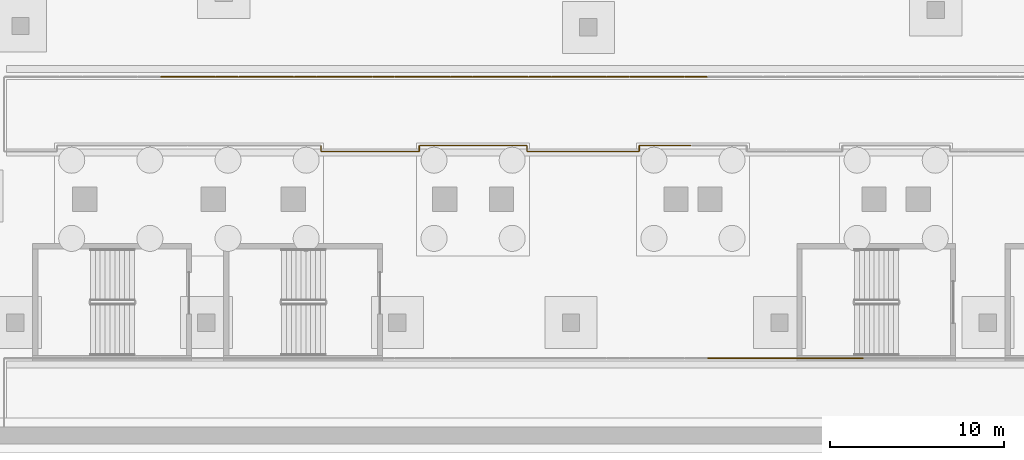
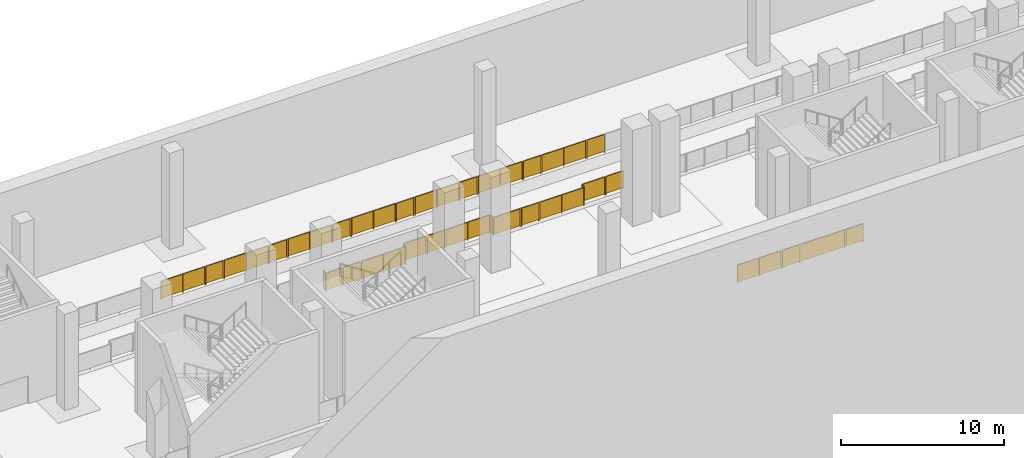
# One storey, part 11 of 15: 33 railings.
"""IFC4 building model written with IfcOpenShell, lengths in metres."""

from ifc_helpers import new_model, si_unit, direction, frame, origin, origin_2d, place, context, subcontext, project, spatial, rectangle, circle, extrude, material, type_object, element, save


model = new_model("IFC4")

# Units and contexts
model_context = context("Model", 3, precision=1e-05, world=origin(), true_north=direction((0.0, 1.0)))
body_context = subcontext(model_context, "Body", "Model", "MODEL_VIEW")
ifc_project = project(units=[si_unit("LENGTHUNIT", "METRE"), si_unit("AREAUNIT", "SQUARE_METRE"), si_unit("VOLUMEUNIT", "CUBIC_METRE"), si_unit("PLANEANGLEUNIT", "RADIAN"), si_unit("MASSUNIT", "GRAM", prefix="KILO")], contexts=[model_context])

# Site, building, storey
site_placement = place(None, origin())
site = spatial("IfcSite", under=ifc_project, at=site_placement, CompositionType="ELEMENT")
building_placement = place(site_placement, origin())
building = spatial("IfcBuilding", under=site, at=building_placement, Name="Wharfspan Tower", CompositionType="ELEMENT")
storey_placement = place(building_placement, frame((0.0, 0.0, -14.399902)))
storey = spatial("IfcBuildingStorey", under=building, at=storey_placement, Name="B2", CompositionType="ELEMENT", Elevation=-14.399902)

# Railings
ifc_material = material(Name="Aluminium frame with laminated glass", Category="aluminium")
railing_type_1 = type_object("IfcRailingType", Name="Platform edge screen 1400", PredefinedType="GUARDRAIL", material=ifc_material)
for number, where, name in (
    (1, (47.889893, -31.050049, 0.0), "Platform edge screen"),
    (2, (52.389893, -31.050049, 0.0), "Platform edge screen"),
):
    element("IfcRailing", number, at=place(storey_placement, frame(where)), inside=storey, type_object=railing_type_1, Name=name, PredefinedType="GUARDRAIL", context=body_context, shape_type="SweptSolid", body=[
        extrude(circle(Radius=0.024902, at=origin_2d()), frame((0.0, 0.0, 1.375), z_axis=(1.0, 0.0, 0.0), x_axis=(0.0, 1.0, 0.0)), (0.0, 0.0, 1.0), 3.120117),
        extrude(circle(Radius=0.024902, at=origin_2d()), origin(), (0.0, 0.0, 1.0), 1.349854),
        extrude(circle(Radius=0.024902, at=origin_2d()), frame((1.560059, 0.0, 0.0)), (0.0, 0.0, 1.0), 1.349854),
        extrude(circle(Radius=0.024902, at=origin_2d()), frame((3.120117, 0.0, 0.0)), (0.0, 0.0, 1.0), 1.349854),
        extrude(rectangle(XDim=3.120117, YDim=0.02002, at=origin_2d()), frame((1.560059, 0.0, 0.100098), z_axis=(0.0, 0.0, 1.0), x_axis=(1.0, 0.0, 0.0)), (0.0, 0.0, 1.0), 1.249756),
    ])
railing_1_placement = place(storey_placement, frame((25.600098, -19.110107, 0.0)))
element("IfcRailing", 3, at=railing_1_placement, inside=storey, type_object=railing_type_1, Name="Platform edge screen", PredefinedType="GUARDRAIL", context=body_context, shape_type="SweptSolid", body=[
    extrude(circle(Radius=0.024902, at=origin_2d()), frame((0.0, 0.0, 1.375), z_axis=(0.0, 1.0, 0.0), x_axis=(-1.0, 0.0, 0.0)), (0.0, 0.0, 1.0), 0.27002),
    extrude(circle(Radius=0.024902, at=origin_2d()), origin(), (0.0, 0.0, 1.0), 1.349854),
    extrude(circle(Radius=0.024902, at=origin_2d()), frame((0.0, 0.27002, 0.0)), (0.0, 0.0, 1.0), 1.349854),
    extrude(rectangle(XDim=0.27002, YDim=0.02002, at=origin_2d()), frame((0.0, 0.13501, 0.100098), z_axis=(0.0, 0.0, 1.0), x_axis=(0.0, 1.0, 0.0)), (0.0, 0.0, 1.0), 1.249756),
])
railing_2_placement = place(storey_placement, frame((31.221924, -19.149902, 0.0)))
element("IfcRailing", 4, at=railing_2_placement, inside=storey, type_object=railing_type_1, Name="Platform edge screen", PredefinedType="GUARDRAIL", context=body_context, shape_type="SweptSolid", body=[
    extrude(circle(Radius=0.024902, at=origin_2d()), frame((0.0, 0.0, 1.375), z_axis=(-1.0, 0.0, 0.0), x_axis=(0.0, -1.0, 0.0)), (0.0, 0.0, 1.0), 3.119873),
    extrude(circle(Radius=0.024902, at=origin_2d()), origin(), (0.0, 0.0, 1.0), 1.349854),
    extrude(circle(Radius=0.024902, at=origin_2d()), frame((-1.560059, 0.0, 0.0)), (0.0, 0.0, 1.0), 1.349854),
    extrude(circle(Radius=0.024902, at=origin_2d()), frame((-3.119873, 0.0, 0.0)), (0.0, 0.0, 1.0), 1.349854),
    extrude(rectangle(XDim=3.119873, YDim=0.02002, at=origin_2d()), frame((-1.560059, 0.0, 0.100098), z_axis=(0.0, 0.0, 1.0), x_axis=(-1.0, 0.0, 0.0)), (0.0, 0.0, 1.0), 1.249756),
])
railing_3_placement = place(storey_placement, frame((26.721924, -19.149902, 0.0)))
element("IfcRailing", 5, at=railing_3_placement, inside=storey, type_object=railing_type_1, Name="Platform edge screen", PredefinedType="GUARDRAIL", context=body_context, shape_type="SweptSolid", body=[
    extrude(circle(Radius=0.024902, at=origin_2d()), frame((0.0, 0.0, 1.375), z_axis=(-1.0, 0.0, 0.0), x_axis=(0.0, -1.0, 0.0)), (0.0, 0.0, 1.0), 1.082031),
    extrude(circle(Radius=0.024902, at=origin_2d()), origin(), (0.0, 0.0, 1.0), 1.349854),
    extrude(circle(Radius=0.024902, at=origin_2d()), frame((-1.082031, 0.0, 0.0)), (0.0, 0.0, 1.0), 1.349854),
    extrude(rectangle(XDim=1.082031, YDim=0.02002, at=origin_2d()), frame((-0.541016, 0.0, 0.100098), z_axis=(0.0, 0.0, 1.0), x_axis=(-1.0, 0.0, 0.0)), (0.0, 0.0, 1.0), 1.249756),
])
railing_4_placement = place(storey_placement, frame((37.461914, -19.110107, 0.0)))
element("IfcRailing", 6, at=railing_4_placement, inside=storey, type_object=railing_type_1, Name="Platform edge screen", PredefinedType="GUARDRAIL", context=body_context, shape_type="SweptSolid", body=[
    extrude(circle(Radius=0.024902, at=origin_2d()), frame((0.0, 0.0, 1.375), z_axis=(0.0, 1.0, 0.0), x_axis=(-1.0, 0.0, 0.0)), (0.0, 0.0, 1.0), 0.27002),
    extrude(circle(Radius=0.024902, at=origin_2d()), origin(), (0.0, 0.0, 1.0), 1.349854),
    extrude(circle(Radius=0.024902, at=origin_2d()), frame((0.0, 0.27002, 0.0)), (0.0, 0.0, 1.0), 1.349854),
    extrude(rectangle(XDim=0.27002, YDim=0.02002, at=origin_2d()), frame((0.0, 0.13501, 0.100098), z_axis=(0.0, 0.0, 1.0), x_axis=(0.0, 1.0, 0.0)), (0.0, 0.0, 1.0), 1.249756),
])
railing_5_placement = place(storey_placement, frame((43.881104, -19.149902, 0.0)))
element("IfcRailing", 7, at=railing_5_placement, inside=storey, type_object=railing_type_1, Name="Platform edge screen", PredefinedType="GUARDRAIL", context=body_context, shape_type="SweptSolid", body=[
    extrude(circle(Radius=0.024902, at=origin_2d()), frame((0.0, 0.0, 1.375), z_axis=(-1.0, 0.0, 0.0), x_axis=(0.0, -1.0, 0.0)), (0.0, 0.0, 1.0), 3.120117),
    extrude(circle(Radius=0.024902, at=origin_2d()), origin(), (0.0, 0.0, 1.0), 1.349854),
    extrude(circle(Radius=0.024902, at=origin_2d()), frame((-1.560059, 0.0, 0.0)), (0.0, 0.0, 1.0), 1.349854),
    extrude(circle(Radius=0.024902, at=origin_2d()), frame((-3.120117, 0.0, 0.0)), (0.0, 0.0, 1.0), 1.349854),
    extrude(rectangle(XDim=3.120117, YDim=0.02002, at=origin_2d()), frame((-1.560059, 0.0, 0.100098), z_axis=(0.0, 0.0, 1.0), x_axis=(-1.0, 0.0, 0.0)), (0.0, 0.0, 1.0), 1.249756),
])
railing_6_placement = place(storey_placement, frame((39.381104, -19.149902, 0.0)))
element("IfcRailing", 8, at=railing_6_placement, inside=storey, type_object=railing_type_1, Name="Platform edge screen", PredefinedType="GUARDRAIL", context=body_context, shape_type="SweptSolid", body=[
    extrude(circle(Radius=0.024902, at=origin_2d()), frame((0.0, 0.0, 1.375), z_axis=(-1.0, 0.0, 0.0), x_axis=(0.0, -1.0, 0.0)), (0.0, 0.0, 1.0), 1.87915),
    extrude(circle(Radius=0.024902, at=origin_2d()), origin(), (0.0, 0.0, 1.0), 1.349854),
    extrude(circle(Radius=0.024902, at=origin_2d()), frame((-1.87915, 0.0, 0.0)), (0.0, 0.0, 1.0), 1.349854),
    extrude(rectangle(XDim=1.87915, YDim=0.02002, at=origin_2d()), frame((-0.939453, 0.0, 0.100098), z_axis=(0.0, 0.0, 1.0), x_axis=(-1.0, 0.0, 0.0)), (0.0, 0.0, 1.0), 1.249756),
])
railing_7_placement = place(storey_placement, frame((31.261963, -18.840088, 0.0)))
element("IfcRailing", 9, at=railing_7_placement, inside=storey, type_object=railing_type_1, Name="Platform edge screen", PredefinedType="GUARDRAIL", context=body_context, shape_type="SweptSolid", body=[
    extrude(circle(Radius=0.024902, at=origin_2d()), frame((0.0, 0.0, 1.375), z_axis=(0.0, -1.0, 0.0), x_axis=(1.0, 0.0, 0.0)), (0.0, 0.0, 1.0), 0.27002),
    extrude(circle(Radius=0.024902, at=origin_2d()), origin(), (0.0, 0.0, 1.0), 1.349854),
    extrude(circle(Radius=0.024902, at=origin_2d()), frame((0.0, -0.27002, 0.0)), (0.0, 0.0, 1.0), 1.349854),
    extrude(rectangle(XDim=0.27002, YDim=0.02002, at=origin_2d()), frame((0.0, -0.13501, 0.100098), z_axis=(0.0, 0.0, 1.0), x_axis=(0.0, -1.0, 0.0)), (0.0, 0.0, 1.0), 1.249756),
])
railing_8_placement = place(storey_placement, frame((37.422119, -18.800049, 0.0)))
element("IfcRailing", 10, at=railing_8_placement, inside=storey, type_object=railing_type_1, Name="Platform edge screen", PredefinedType="GUARDRAIL", context=body_context, shape_type="SweptSolid", body=[
    extrude(circle(Radius=0.024902, at=origin_2d()), frame((0.0, 0.0, 1.375), z_axis=(-1.0, 0.0, 0.0), x_axis=(0.0, -1.0, 0.0)), (0.0, 0.0, 1.0), 3.120117),
    extrude(circle(Radius=0.024902, at=origin_2d()), origin(), (0.0, 0.0, 1.0), 1.349854),
    extrude(circle(Radius=0.024902, at=origin_2d()), frame((-1.560059, 0.0, 0.0)), (0.0, 0.0, 1.0), 1.349854),
    extrude(circle(Radius=0.024902, at=origin_2d()), frame((-3.120117, 0.0, 0.0)), (0.0, 0.0, 1.0), 1.349854),
    extrude(rectangle(XDim=3.120117, YDim=0.02002, at=origin_2d()), frame((-1.560059, 0.0, 0.100098), z_axis=(0.0, 0.0, 1.0), x_axis=(-1.0, 0.0, 0.0)), (0.0, 0.0, 1.0), 1.249756),
])
railing_9_placement = place(storey_placement, frame((32.922119, -18.800049, 0.0)))
element("IfcRailing", 11, at=railing_9_placement, inside=storey, type_object=railing_type_1, Name="Platform edge screen", PredefinedType="GUARDRAIL", context=body_context, shape_type="SweptSolid", body=[
    extrude(circle(Radius=0.024902, at=origin_2d()), frame((0.0, 0.0, 1.375), z_axis=(-1.0, 0.0, 0.0), x_axis=(0.0, -1.0, 0.0)), (0.0, 0.0, 1.0), 1.620117),
    extrude(circle(Radius=0.024902, at=origin_2d()), origin(), (0.0, 0.0, 1.0), 1.349854),
    extrude(circle(Radius=0.024902, at=origin_2d()), frame((-1.620117, 0.0, 0.0)), (0.0, 0.0, 1.0), 1.349854),
    extrude(rectangle(XDim=1.620117, YDim=0.02002, at=origin_2d()), frame((-0.810059, 0.0, 0.100098), z_axis=(0.0, 0.0, 1.0), x_axis=(-1.0, 0.0, 0.0)), (0.0, 0.0, 1.0), 1.249756),
])
railing_10_placement = place(storey_placement, frame((43.920898, -18.840088, 0.0)))
element("IfcRailing", 12, at=railing_10_placement, inside=storey, type_object=railing_type_1, Name="Platform edge screen", PredefinedType="GUARDRAIL", context=body_context, shape_type="SweptSolid", body=[
    extrude(circle(Radius=0.024902, at=origin_2d()), frame((0.0, 0.0, 1.375), z_axis=(0.0, -1.0, 0.0), x_axis=(1.0, 0.0, 0.0)), (0.0, 0.0, 1.0), 0.27002),
    extrude(circle(Radius=0.024902, at=origin_2d()), origin(), (0.0, 0.0, 1.0), 1.349854),
    extrude(circle(Radius=0.024902, at=origin_2d()), frame((0.0, -0.27002, 0.0)), (0.0, 0.0, 1.0), 1.349854),
    extrude(rectangle(XDim=0.27002, YDim=0.02002, at=origin_2d()), frame((0.0, -0.13501, 0.100098), z_axis=(0.0, 0.0, 1.0), x_axis=(0.0, -1.0, 0.0)), (0.0, 0.0, 1.0), 1.249756),
])
railing_11_placement = place(storey_placement, frame((45.581055, -18.800049, 0.0)))
element("IfcRailing", 13, at=railing_11_placement, inside=storey, type_object=railing_type_1, Name="Platform edge screen", PredefinedType="GUARDRAIL", context=body_context, shape_type="SweptSolid", body=[
    extrude(circle(Radius=0.024902, at=origin_2d()), frame((0.0, 0.0, 1.375), z_axis=(-1.0, 0.0, 0.0), x_axis=(0.0, -1.0, 0.0)), (0.0, 0.0, 1.0), 1.620117),
    extrude(circle(Radius=0.024902, at=origin_2d()), origin(), (0.0, 0.0, 1.0), 1.349854),
    extrude(circle(Radius=0.024902, at=origin_2d()), frame((-1.620117, 0.0, 0.0)), (0.0, 0.0, 1.0), 1.349854),
    extrude(rectangle(XDim=1.620117, YDim=0.02002, at=origin_2d()), frame((-0.810059, 0.0, 0.100098), z_axis=(0.0, 0.0, 1.0), x_axis=(-1.0, 0.0, 0.0)), (0.0, 0.0, 1.0), 1.249756),
])
for number, where, name in (
    (14, (16.389893, -14.850098, 0.0), "Platform edge screen"),
    (15, (20.889893, -14.850098, 0.0), "Platform edge screen"),
    (16, (25.389893, -14.850098, 0.0), "Platform edge screen"),
    (17, (29.889893, -14.850098, 0.0), "Platform edge screen"),
    (18, (34.389893, -14.850098, 0.0), "Platform edge screen"),
    (19, (38.889893, -14.850098, 0.0), "Platform edge screen"),
    (20, (43.389893, -14.850098, 0.0), "Platform edge screen"),
):
    element("IfcRailing", number, at=place(storey_placement, frame(where)), inside=storey, type_object=railing_type_1, Name=name, PredefinedType="GUARDRAIL", context=body_context, shape_type="SweptSolid", body=[
        extrude(circle(Radius=0.024902, at=origin_2d()), frame((0.0, 0.0, 1.375), z_axis=(1.0, 0.0, 0.0), x_axis=(0.0, 1.0, 0.0)), (0.0, 0.0, 1.0), 3.120117),
        extrude(circle(Radius=0.024902, at=origin_2d()), origin(), (0.0, 0.0, 1.0), 1.349854),
        extrude(circle(Radius=0.024902, at=origin_2d()), frame((1.560059, 0.0, 0.0)), (0.0, 0.0, 1.0), 1.349854),
        extrude(circle(Radius=0.024902, at=origin_2d()), frame((3.120117, 0.0, 0.0)), (0.0, 0.0, 1.0), 1.349854),
        extrude(rectangle(XDim=3.120117, YDim=0.02002, at=origin_2d()), frame((1.560059, 0.0, 0.100098), z_axis=(0.0, 0.0, 1.0), x_axis=(1.0, 0.0, 0.0)), (0.0, 0.0, 1.0), 1.249756),
    ])
railing_type_2 = type_object("IfcRailingType", Name="Platform screen door leaf 1400 (closed)", PredefinedType="GUARDRAIL", material=ifc_material)
for number, where, name in (
    (21, (51.090088, -31.050049, 0.0), "Platform screen door leaf (closed)"),
    (22, (55.590088, -31.050049, 0.0), "Platform screen door leaf (closed)"),
):
    element("IfcRailing", number, at=place(storey_placement, frame(where)), inside=storey, type_object=railing_type_2, Name=name, PredefinedType="GUARDRAIL", context=body_context, shape_type="SweptSolid", body=[
        extrude(circle(Radius=0.024902, at=origin_2d()), frame((0.0, 0.0, 1.375), z_axis=(1.0, 0.0, 0.0), x_axis=(0.0, 1.0, 0.0)), (0.0, 0.0, 1.0), 1.219971),
        extrude(circle(Radius=0.024902, at=origin_2d()), origin(), (0.0, 0.0, 1.0), 1.349854),
        extrude(circle(Radius=0.024902, at=origin_2d()), frame((1.219971, 0.0, 0.0)), (0.0, 0.0, 1.0), 1.349854),
        extrude(rectangle(XDim=1.219971, YDim=0.02002, at=origin_2d()), frame((0.609863, 0.0, 0.100098), z_axis=(0.0, 0.0, 1.0), x_axis=(1.0, 0.0, 0.0)), (0.0, 0.0, 1.0), 1.249756),
    ])
for number, where, name in (
    (23, (28.021973, -19.149902, 0.0), "Platform screen door leaf (closed)"),
    (24, (40.680908, -19.149902, 0.0), "Platform screen door leaf (closed)"),
    (25, (34.221924, -18.800049, 0.0), "Platform screen door leaf (closed)"),
):
    element("IfcRailing", number, at=place(storey_placement, frame(where)), inside=storey, type_object=railing_type_2, Name=name, PredefinedType="GUARDRAIL", context=body_context, shape_type="SweptSolid", body=[
        extrude(circle(Radius=0.024902, at=origin_2d()), frame((0.0, 0.0, 1.375), z_axis=(-1.0, 0.0, 0.0), x_axis=(0.0, -1.0, 0.0)), (0.0, 0.0, 1.0), 1.219971),
        extrude(circle(Radius=0.024902, at=origin_2d()), origin(), (0.0, 0.0, 1.0), 1.349854),
        extrude(circle(Radius=0.024902, at=origin_2d()), frame((-1.219971, 0.0, 0.0)), (0.0, 0.0, 1.0), 1.349854),
        extrude(rectangle(XDim=1.219971, YDim=0.02002, at=origin_2d()), frame((-0.609863, 0.0, 0.100098), z_axis=(0.0, 0.0, 1.0), x_axis=(-1.0, 0.0, 0.0)), (0.0, 0.0, 1.0), 1.249756),
    ])
railing_12_placement = place(storey_placement, frame((46.881104, -18.800049, 0.0)))
element("IfcRailing", 26, at=railing_12_placement, inside=storey, type_object=railing_type_2, Name="Platform screen door leaf (closed)", PredefinedType="GUARDRAIL", context=body_context, shape_type="SweptSolid", body=[
    extrude(circle(Radius=0.024902, at=origin_2d()), frame((0.0, 0.0, 1.375), z_axis=(-1.0, 0.0, 0.0), x_axis=(0.0, -1.0, 0.0)), (0.0, 0.0, 1.0), 1.220215),
    extrude(circle(Radius=0.024902, at=origin_2d()), origin(), (0.0, 0.0, 1.0), 1.349854),
    extrude(circle(Radius=0.024902, at=origin_2d()), frame((-1.220215, 0.0, 0.0)), (0.0, 0.0, 1.0), 1.349854),
    extrude(rectangle(XDim=1.220215, YDim=0.02002, at=origin_2d()), frame((-0.610107, 0.0, 0.100098), z_axis=(0.0, 0.0, 1.0), x_axis=(-1.0, 0.0, 0.0)), (0.0, 0.0, 1.0), 1.249756),
])
for number, where, name in (
    (27, (19.590088, -14.850098, 0.0), "Platform screen door leaf (closed)"),
    (28, (24.090088, -14.850098, 0.0), "Platform screen door leaf (closed)"),
    (29, (28.590088, -14.850098, 0.0), "Platform screen door leaf (closed)"),
    (30, (33.090088, -14.850098, 0.0), "Platform screen door leaf (closed)"),
    (31, (37.590088, -14.850098, 0.0), "Platform screen door leaf (closed)"),
    (32, (42.090088, -14.850098, 0.0), "Platform screen door leaf (closed)"),
    (33, (46.590088, -14.850098, 0.0), "Platform screen door leaf (closed)"),
):
    element("IfcRailing", number, at=place(storey_placement, frame(where)), inside=storey, type_object=railing_type_2, Name=name, PredefinedType="GUARDRAIL", context=body_context, shape_type="SweptSolid", body=[
        extrude(circle(Radius=0.024902, at=origin_2d()), frame((0.0, 0.0, 1.375), z_axis=(1.0, 0.0, 0.0), x_axis=(0.0, 1.0, 0.0)), (0.0, 0.0, 1.0), 1.219971),
        extrude(circle(Radius=0.024902, at=origin_2d()), origin(), (0.0, 0.0, 1.0), 1.349854),
        extrude(circle(Radius=0.024902, at=origin_2d()), frame((1.219971, 0.0, 0.0)), (0.0, 0.0, 1.0), 1.349854),
        extrude(rectangle(XDim=1.219971, YDim=0.02002, at=origin_2d()), frame((0.609863, 0.0, 0.100098), z_axis=(0.0, 0.0, 1.0), x_axis=(1.0, 0.0, 0.0)), (0.0, 0.0, 1.0), 1.249756),
    ])

save(model, "model.ifc")
